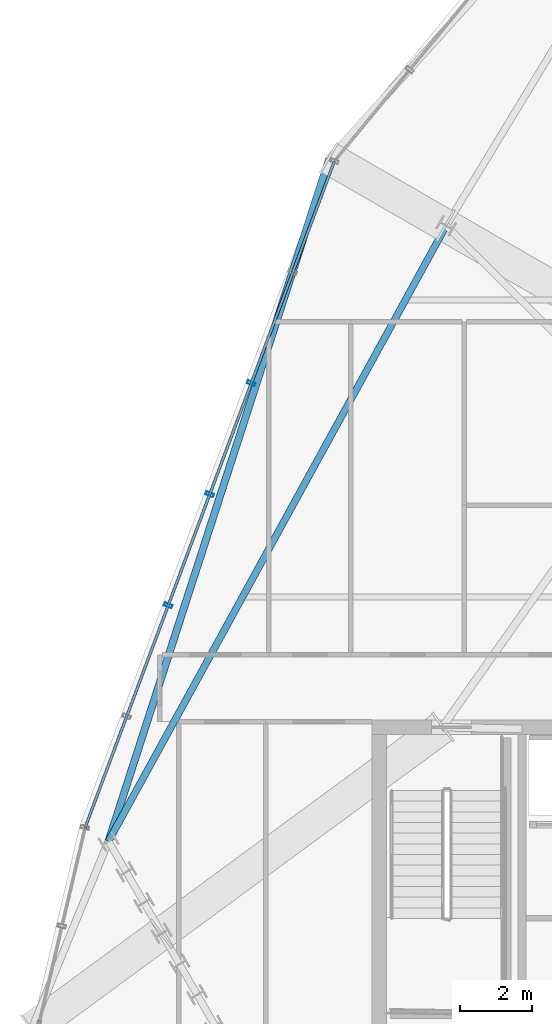
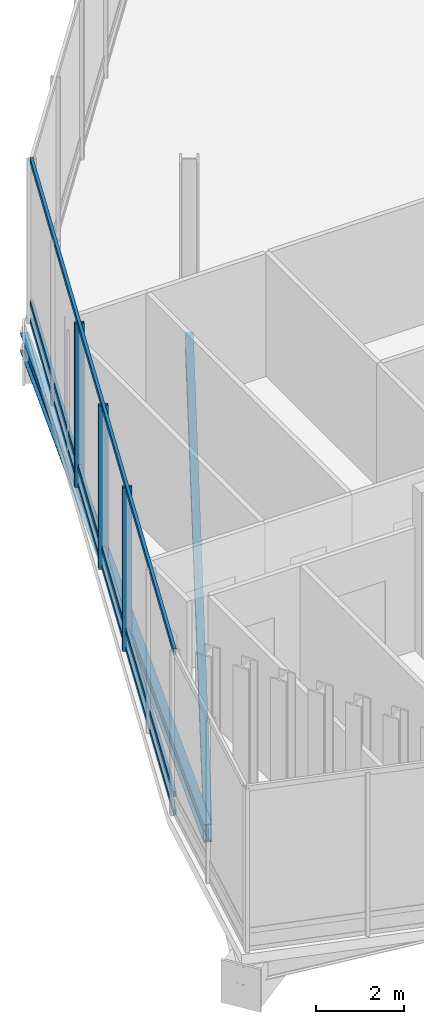
# One storey, part 6 of 29: 6 members, 2 beams, 1 element without a shape of its own.
"""IFC4 building model written with IfcOpenShell, lengths in metres."""

from ifc_helpers import new_model, si_unit, direction, frame, origin, origin_2d, place, context, subcontext, project, spatial, hollow_rectangle, i_section, extrude, material, layer, layer_set, material_profile, profile_set, type_object, element, aggregate, save


model = new_model("IFC4")

# Units and contexts
model_context = context("Model", 3, precision=1e-05, world=origin(), true_north=direction((0.0, 1.0)))
body_context = subcontext(model_context, "Body", "Model", "MODEL_VIEW")
ifc_project = project(units=[si_unit("LENGTHUNIT", "METRE"), si_unit("AREAUNIT", "SQUARE_METRE"), si_unit("VOLUMEUNIT", "CUBIC_METRE"), si_unit("PLANEANGLEUNIT", "RADIAN"), si_unit("MASSUNIT", "GRAM", prefix="KILO")], contexts=[model_context])

# Site, building, storey
site_placement = place(None, origin())
site = spatial("IfcSite", under=ifc_project, at=site_placement, CompositionType="ELEMENT")
building_placement = place(site_placement, origin())
building = spatial("IfcBuilding", under=site, at=building_placement, Name="Ndaravel Arena Tower", CompositionType="ELEMENT")
storey_placement = place(building_placement, frame((0.0, 0.0, 208.39990234375)))
storey = spatial("IfcBuildingStorey", under=building, at=storey_placement, Name="L50", CompositionType="ELEMENT", Elevation=208.39990234375)

# Beams
ifc_material_1 = material(Name="Steel S355", Category="steel")
ifc_material_profile_1 = material_profile(ifc_material_1, i_section(OverallWidth=0.18994140625, OverallDepth=0.449951171875, WebThickness=0.009521484375, FlangeThickness=0.0146484375, FilletRadius=0.02099609375, at=origin_2d()), Name="IPE 450")
ifc_profile_set_1 = profile_set([ifc_material_profile_1], Name="Steel S355")
beam_type_1 = type_object("IfcBeamType", Name="BM-SPAN-IPE450", PredefinedType="SPANDREL", material=ifc_profile_set_1)
beam_1_placement = place(storey_placement, frame((28.502197265625, 28.858642578125, -0.5048828125), z_axis=(-0.480930598805, -0.876758666415, 0.0), x_axis=(0.876758666415, -0.480930598805, 0.0)))
element("IfcBeam", 1, at=beam_1_placement, inside=storey, type_object=beam_type_1, Name="L50 Perimeter Spandrel Beam SP-19", PredefinedType="SPANDREL", context=body_context, shape_type="SweptSolid", body=[
    extrude(i_section(OverallWidth=0.18994140625, OverallDepth=0.449951171875, WebThickness=0.009521484375, FlangeThickness=0.0146484375, FilletRadius=0.02099609375, at=origin_2d()), origin(), (0.0, 0.0, 1.0), 19.401611328125),
])
ifc_material_2 = material(Name="Steel S355", Category="steel")
ifc_material_profile_2 = material_profile(ifc_material_2, i_section(OverallWidth=0.199951171875, OverallDepth=0.5, WebThickness=0.01025390625, FlangeThickness=0.01611328125, FilletRadius=0.02099609375, at=origin_2d()), Name="IPE 500")
ifc_profile_set_2 = profile_set([ifc_material_profile_2], Name="Steel S355")
beam_type_2 = type_object("IfcBeamType", Name="BM-SPAN-IPE500", PredefinedType="SPANDREL", material=ifc_profile_set_2)
beam_2_placement = place(storey_placement, frame((25.272216796875, 30.7236328125, -0.52978515625), z_axis=(-0.307548951698, -0.951532260257, 0.0), x_axis=(0.951532260257, -0.307548951698, 0.0)))
element("IfcBeam", 2, at=beam_2_placement, inside=storey, type_object=beam_type_2, Name="L50 Star Facet Edge Beam SEB-6", PredefinedType="SPANDREL", context=body_context, shape_type="SweptSolid", body=[
    extrude(i_section(OverallWidth=0.199951171875, OverallDepth=0.5, WebThickness=0.01025390625, FlangeThickness=0.01611328125, FilletRadius=0.02099609375, at=origin_2d()), origin(), (0.0, 0.0, 1.0), 19.8369140625),
])

# Curtain wall, members
ifc_material_3 = material(Name="Aluminium", Category="aluminium")
ifc_layer = layer(ifc_material_3, 0.179931640625)
ifc_layer_set = layer_set([ifc_layer], Name="Aluminium")
curtain_wall_type = type_object("IfcCurtainWallType", Name="CW-SYS-04", PredefinedType="NOTDEFINED", material=ifc_layer_set)
curtain_wall_placement = place(storey_placement, origin())
curtain_wall = element("IfcCurtainWall", 3, at=curtain_wall_placement, inside=storey, type_object=curtain_wall_type, Name="L50 Faceted Crystal Curtain Wall CW-L50-E11", PredefinedType="NOTDEFINED")
ifc_material_4 = material(Name="Aluminium", Category="aluminium")
ifc_material_profile_3 = material_profile(ifc_material_4, hollow_rectangle(XDim=0.090087890625, YDim=0.219970703125, WallThickness=0.0048828125, at=origin_2d()), Name="CW MULLION 90x220x5")
ifc_profile_set_3 = profile_set([ifc_material_profile_3], Name="Aluminium")
member_type_1 = type_object("IfcMemberType", Name="MEM-CW-MUL220", PredefinedType="MULLION", material=ifc_profile_set_3)
member_1_placement = place(storey_placement, frame((23.116943359375, 24.50390625, 0.0), z_axis=(0.0, 0.0, 1.0), x_axis=(-0.350272772461, -0.936647737878, 0.0)))
member_1 = element("IfcMember", 4, at=member_1_placement, type_object=member_type_1, Name="CW-L50-E11 Mullion 02", PredefinedType="MULLION", context=body_context, shape_type="SweptSolid", body=[
    extrude(hollow_rectangle(XDim=0.090087890625, YDim=0.219970703125, WallThickness=0.0048828125, at=origin_2d()), origin(), (0.0, 0.0, 1.0), 4.52001953125),
])
member_2_placement = place(storey_placement, frame((21.968994140625, 21.434326171875, 0.0), z_axis=(0.0, 0.0, 1.0), x_axis=(-0.350272772461, -0.936647737878, 0.0)))
member_2 = element("IfcMember", 5, at=member_2_placement, type_object=member_type_1, Name="CW-L50-E11 Mullion 03", PredefinedType="MULLION", context=body_context, shape_type="SweptSolid", body=[
    extrude(hollow_rectangle(XDim=0.090087890625, YDim=0.219970703125, WallThickness=0.0048828125, at=origin_2d()), origin(), (0.0, 0.0, 1.0), 4.52001953125),
])
member_3_placement = place(storey_placement, frame((20.8212890625, 18.364990234375, 0.0), z_axis=(0.0, 0.0, 1.0), x_axis=(-0.350272772461, -0.936647737878, 0.0)))
member_3 = element("IfcMember", 6, at=member_3_placement, type_object=member_type_1, Name="CW-L50-E11 Mullion 04", PredefinedType="MULLION", context=body_context, shape_type="SweptSolid", body=[
    extrude(hollow_rectangle(XDim=0.090087890625, YDim=0.219970703125, WallThickness=0.0048828125, at=origin_2d()), origin(), (0.0, 0.0, 1.0), 4.52001953125),
])
ifc_material_5 = material(Name="Aluminium", Category="aluminium")
ifc_material_profile_4 = material_profile(ifc_material_5, hollow_rectangle(XDim=0.074951171875, YDim=0.14990234375, WallThickness=0.00390625, at=origin_2d()), Name="CW TRANSOM 75x150x4")
ifc_profile_set_4 = profile_set([ifc_material_profile_4], Name="Aluminium")
member_type_2 = type_object("IfcMemberType", Name="MEM-CW-TRN150", PredefinedType="USERDEFINED", material=ifc_profile_set_4)
member_4_placement = place(storey_placement, frame((25.41259765625, 30.642578125, 0.0400390625), z_axis=(-0.350276917062, -0.936646187935, 0.0), x_axis=(0.936646187935, -0.350276917062, 0.0)))
member_4 = element("IfcMember", 7, at=member_4_placement, type_object=member_type_2, Name="CW-L50-E11 Transom 01", ObjectType="TRANSOM", PredefinedType="USERDEFINED", context=body_context, shape_type="SweptSolid", body=[
    extrude(hollow_rectangle(XDim=0.074951171875, YDim=0.14990234375, WallThickness=0.00390625, at=origin_2d()), origin(), (0.0, 0.0, 1.0), 19.662109375),
])
member_5_placement = place(storey_placement, frame((25.41259765625, 30.642578125, 0.550048828125), z_axis=(-0.350276917062, -0.936646187935, 0.0), x_axis=(0.936646187935, -0.350276917062, 0.0)))
member_5 = element("IfcMember", 8, at=member_5_placement, type_object=member_type_2, Name="CW-L50-E11 Transom 02", ObjectType="TRANSOM", PredefinedType="USERDEFINED", context=body_context, shape_type="SweptSolid", body=[
    extrude(hollow_rectangle(XDim=0.074951171875, YDim=0.14990234375, WallThickness=0.00390625, at=origin_2d()), origin(), (0.0, 0.0, 1.0), 19.662109375),
])
member_6_placement = place(storey_placement, frame((25.41259765625, 30.642578125, 4.47998046875), z_axis=(-0.350276917062, -0.936646187935, 0.0), x_axis=(0.936646187935, -0.350276917062, 0.0)))
member_6 = element("IfcMember", 9, at=member_6_placement, type_object=member_type_2, Name="CW-L50-E11 Transom 03", ObjectType="TRANSOM", PredefinedType="USERDEFINED", context=body_context, shape_type="SweptSolid", body=[
    extrude(hollow_rectangle(XDim=0.074951171875, YDim=0.14990234375, WallThickness=0.00390625, at=origin_2d()), origin(), (0.0, 0.0, 1.0), 19.662109375),
])
aggregate(curtain_wall, [member_1, member_2, member_3, member_4, member_5, member_6])

save(model, "model.ifc")
